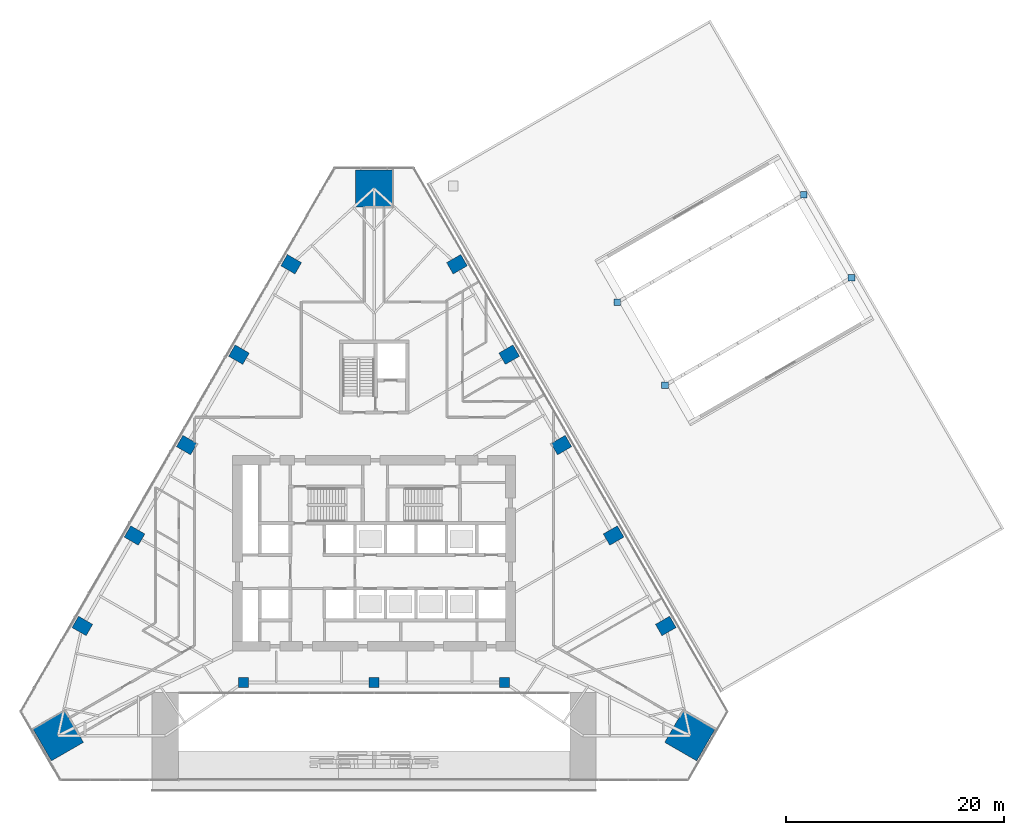
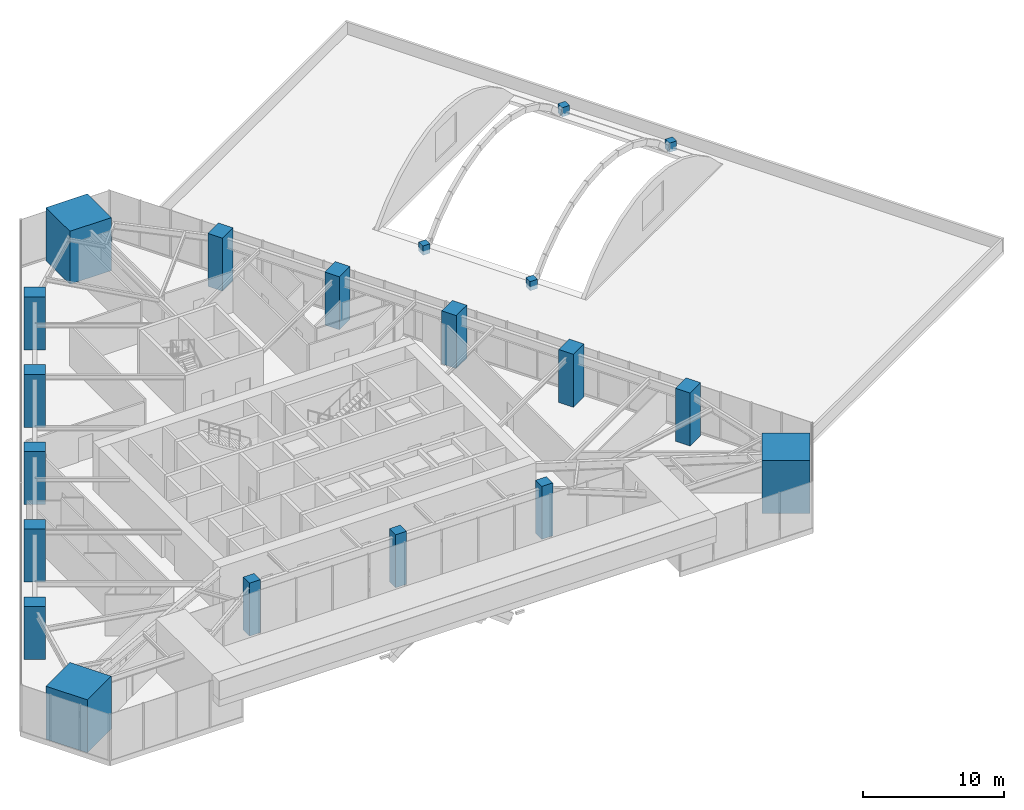
# One storey, part 1 of 23: 20 columns.
"""IFC4 building model written with IfcOpenShell, lengths in metres."""

from ifc_helpers import new_model, si_unit, direction, frame, origin, origin_2d, place, context, subcontext, project, spatial, rectangle, extrude, material, material_profile, profile_set, type_object, element, save


model = new_model("IFC4")

# Units and contexts
model_context = context("Model", 3, precision=1e-05, world=origin(), true_north=direction((0.0, 1.0)))
body_context = subcontext(model_context, "Body", "Model", "MODEL_VIEW")
ifc_project = project(units=[si_unit("LENGTHUNIT", "METRE"), si_unit("AREAUNIT", "SQUARE_METRE"), si_unit("VOLUMEUNIT", "CUBIC_METRE"), si_unit("PLANEANGLEUNIT", "RADIAN"), si_unit("MASSUNIT", "GRAM", prefix="KILO")], contexts=[model_context])

# Site, building, storey
site_placement = place(None, origin())
site = spatial("IfcSite", under=ifc_project, at=site_placement, CompositionType="ELEMENT")
building_placement = place(site_placement, origin())
building = spatial("IfcBuilding", under=site, at=building_placement, Name="Firuza Gate Tower and Library", CompositionType="ELEMENT")
storey_placement = place(building_placement, frame((0.0, 0.0, 26.39990234375)))
storey = spatial("IfcBuildingStorey", under=building, at=storey_placement, Name="L05", CompositionType="ELEMENT", Elevation=26.39990234375)

# Columns
ifc_material_1 = material(Name="Concrete C60/75", Category="concrete")
ifc_material_profile_1 = material_profile(ifc_material_1, rectangle(XDim=0.89990234375, YDim=0.89990234375, at=origin_2d()))
ifc_profile_set_1 = profile_set([ifc_material_profile_1], Name="Concrete C60/75")
column_type_1 = type_object("IfcColumnType", Name="Basement column 900x900 C60/75", PredefinedType="COLUMN", material=ifc_profile_set_1)
for number, where, z_axis, x_axis, name in (
    (1, (63.0, 63.115478515625, 0.0), (0.0, 0.0, 1.0), (1.0, 0.0, 0.0), "Column L05 bc1"),
    (2, (75.0, 63.115478515625, 0.0), (0.0, 0.0, 1.0), (1.0, 0.0, 0.0), "Column L05 bc2"),
    (3, (87.0, 63.115478515625, 0.0), (0.0, 0.0, 1.0), (1.0, 0.0, 0.0), "Column L05 bc3"),
):
    element("IfcColumn", number, at=place(storey_placement, frame(where, z_axis=z_axis, x_axis=x_axis)), inside=storey, type_object=column_type_1, Name=name, PredefinedType="COLUMN", context=body_context, shape_type="SweptSolid", body=[
        extrude(rectangle(XDim=0.89990234375, YDim=0.89990234375, at=origin_2d()), origin(), (0.0, 0.0, 1.0), 4.60009765625),
    ])
ifc_material_2 = material(Name="Concrete C40/50", Category="concrete")
ifc_material_profile_2 = material_profile(ifc_material_2, rectangle(XDim=0.60009765625, YDim=0.60009765625, at=origin_2d()))
ifc_profile_set_2 = profile_set([ifc_material_profile_2], Name="Concrete C40/50")
column_type_2 = type_object("IfcColumnType", Name="LIB COLUMN 600", PredefinedType="COLUMN", material=ifc_profile_set_2)
for number, where, z_axis, x_axis, name in (
    (4, (101.746826171875, 90.4423828125, -0.2998046875), (0.0, 0.0, 1.0), (1.0, 0.0, 0.0), "Vault springer post 1"),
    (5, (118.894287109375, 100.34228515625, -0.2998046875), (0.0, 0.0, 1.0), (1.0, 0.0, 0.0), "Vault springer post 2"),
    (6, (97.346923828125, 98.063232421875, -0.2998046875), (0.0, 0.0, 1.0), (1.0, 0.0, 0.0), "Vault springer post 3"),
    (7, (114.494140625, 107.96337890625, -0.2998046875), (0.0, 0.0, 1.0), (1.0, 0.0, 0.0), "Vault springer post 4"),
):
    element("IfcColumn", number, at=place(storey_placement, frame(where, z_axis=z_axis, x_axis=x_axis)), inside=storey, type_object=column_type_2, Name=name, PredefinedType="COLUMN", context=body_context, shape_type="SweptSolid", body=[
        extrude(rectangle(XDim=0.60009765625, YDim=0.60009765625, at=origin_2d()), origin(), (0.0, 0.0, 1.0), 0.7998046875),
    ])
ifc_material_3 = material(Name="Concrete C80/95", Category="concrete")
ifc_material_profile_3 = material_profile(ifc_material_3, rectangle(XDim=3.39990234375, YDim=3.39990234375, at=origin_2d()))
ifc_profile_set_3 = profile_set([ifc_material_profile_3], Name="Concrete C80/95")
column_type_3 = type_object("IfcColumnType", Name="Mega column 3400x3400 C80/95", PredefinedType="COLUMN", material=ifc_profile_set_3)
for number, where, z_axis, x_axis, name in (
    (8, (104.041259765625, 58.233154296875, 0.0), (0.0, 0.0, 1.0), (0.5, 0.866025403784, 0.0), "Mega column SE L05"),
    (9, (75.0, 108.533935546875, 0.0), (0.0, 0.0, 1.0), (-1.0, 0.0, 0.0), "Mega column N L05"),
    (10, (45.958740234375, 58.233154296875, 0.0), (0.0, 0.0, 1.0), (0.5, -0.866025403784, 0.0), "Mega column SW L05"),
):
    element("IfcColumn", number, at=place(storey_placement, frame(where, z_axis=z_axis, x_axis=x_axis)), inside=storey, type_object=column_type_3, Name=name, PredefinedType="COLUMN", context=body_context, shape_type="SweptSolid", body=[
        extrude(rectangle(XDim=3.39990234375, YDim=3.39990234375, at=origin_2d()), origin(), (0.0, 0.0, 1.0), 4.60009765625),
    ])
ifc_material_4 = material(Name="Concrete C60/75", Category="concrete")
ifc_material_profile_4 = material_profile(ifc_material_4, rectangle(XDim=1.199951171875, YDim=1.5, at=origin_2d()))
ifc_profile_set_4 = profile_set([ifc_material_profile_4], Name="Concrete C60/75")
column_type_4 = type_object("IfcColumnType", Name="Perimeter column 1200x1500 C60/75", PredefinedType="COLUMN", material=ifc_profile_set_4)
for number, where, z_axis, x_axis, name in (
    (11, (101.820556640625, 68.314697265625, -0.000244140625), (0.0, 0.0, 1.0), (-0.5, 0.866025403784, 0.0), "Column E1 L05"),
    (12, (97.0205078125, 76.62841796875, -0.000244140625), (0.0, 0.0, 1.0), (-0.5, 0.866025403784, 0.0), "Column E2 L05"),
    (13, (92.220458984375, 84.9423828125, -0.000244140625), (0.0, 0.0, 1.0), (-0.5, 0.866025403784, 0.0), "Column E3 L05"),
    (14, (87.420654296875, 93.256103515625, -0.000244140625), (0.0, 0.0, 1.0), (-0.5, 0.866025403784, 0.0), "Column E4 L05"),
    (15, (82.62060546875, 101.570068359375, -0.000244140625), (0.0, 0.0, 1.0), (-0.5, 0.866025403784, 0.0), "Column E5 L05"),
    (16, (67.37939453125, 101.570068359375, -0.000244140625), (0.0, 0.0, 1.0), (-0.5, -0.866025403784, 0.0), "Column W1 L05"),
    (17, (62.579345703125, 93.256103515625, -0.000244140625), (0.0, 0.0, 1.0), (-0.5, -0.866025403784, 0.0), "Column W2 L05"),
    (18, (57.779541015625, 84.9423828125, -0.000244140625), (0.0, 0.0, 1.0), (-0.5, -0.866025403784, 0.0), "Column W3 L05"),
    (19, (52.9794921875, 76.62841796875, -0.000244140625), (0.0, 0.0, 1.0), (-0.5, -0.866025403784, 0.0), "Column W4 L05"),
    (20, (48.179443359375, 68.314697265625, -0.000244140625), (0.0, 0.0, 1.0), (-0.5, -0.866025403784, 0.0), "Column W5 L05"),
):
    element("IfcColumn", number, at=place(storey_placement, frame(where, z_axis=z_axis, x_axis=x_axis)), inside=storey, type_object=column_type_4, Name=name, PredefinedType="COLUMN", context=body_context, shape_type="SweptSolid", body=[
        extrude(rectangle(XDim=1.199951171875, YDim=1.5, at=origin_2d()), origin(), (0.0, 0.0, 1.0), 4.600341796875),
    ])

save(model, "model.ifc")
